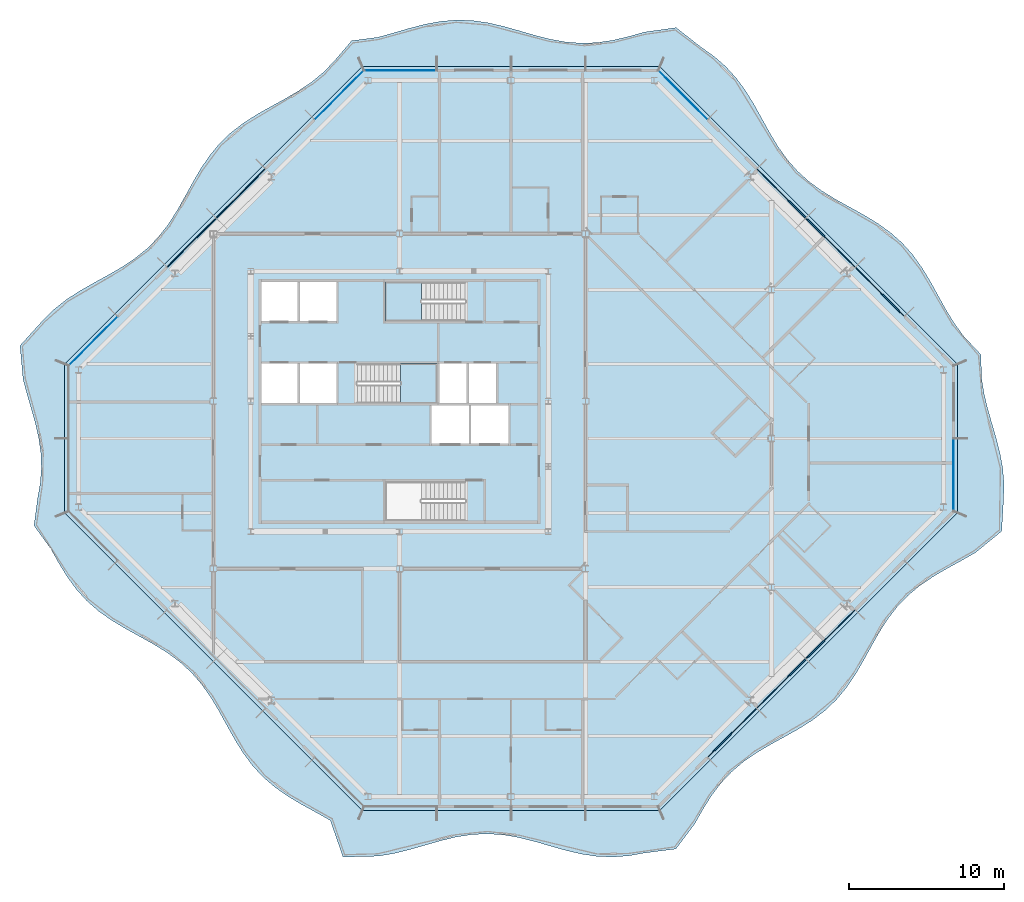
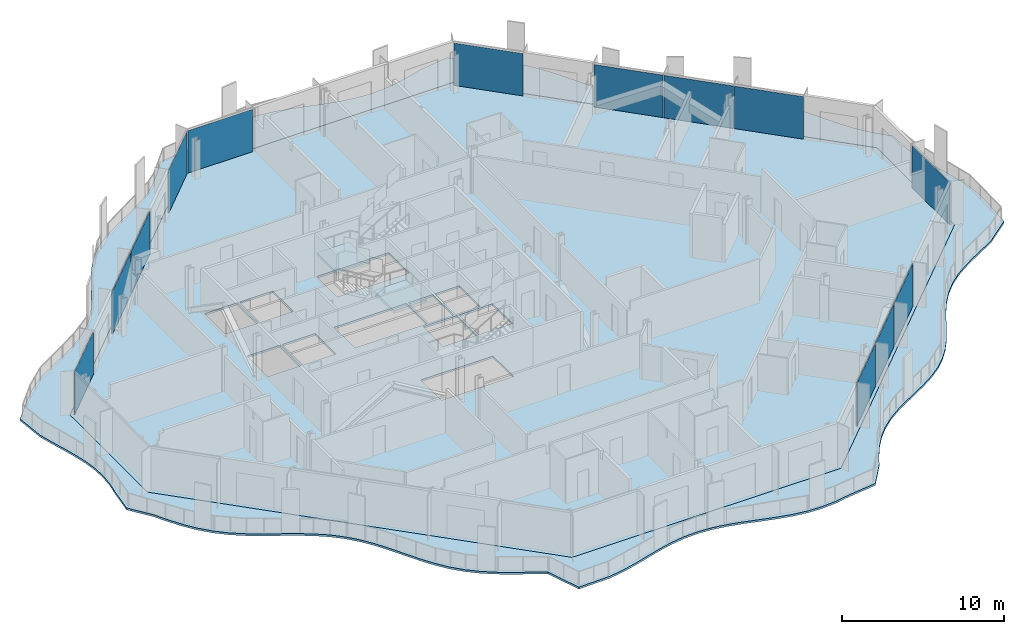
# One storey, part 6 of 17: 13 plates, 4 slabs, 7 elements without a shape of their own.
"""IFC4 building model written with IfcOpenShell, lengths in metres."""

from ifc_helpers import new_model, si_unit, direction, frame, origin, origin_2d, place, context, subcontext, project, spatial, polyline, rectangle, outline, extrude, material, layer, layer_set, type_object, element, aggregate, save


model = new_model("IFC4")

# Units and contexts
model_context = context("Model", 3, precision=1e-05, world=origin(), true_north=direction((0.0, 1.0)))
body_context = subcontext(model_context, "Body", "Model", "MODEL_VIEW")
ifc_project = project(units=[si_unit("LENGTHUNIT", "METRE"), si_unit("AREAUNIT", "SQUARE_METRE"), si_unit("VOLUMEUNIT", "CUBIC_METRE"), si_unit("PLANEANGLEUNIT", "RADIAN"), si_unit("MASSUNIT", "GRAM", prefix="KILO")], contexts=[model_context])

# Site, building, storey
site_placement = place(None, origin())
site = spatial("IfcSite", under=ifc_project, at=site_placement, CompositionType="ELEMENT")
building_placement = place(site_placement, origin())
building = spatial("IfcBuilding", under=site, at=building_placement, Name="Cairn Pilgrim Tower", CompositionType="ELEMENT")
storey_placement = place(building_placement, frame((0.0, 0.0, 257.39990234375)))
storey = spatial("IfcBuildingStorey", under=building, at=storey_placement, Name="L66", CompositionType="ELEMENT", Elevation=257.39990234375)

# Slabs
ifc_material_1 = material(Name="Concrete C35/45", Category="concrete")
ifc_layer_1 = layer(ifc_material_1, 0.14990234375)
ifc_layer_set_1 = layer_set([ifc_layer_1], Name="BALCONY SLAB 150 CONCRETE C35/45")
slab_type_1 = type_object("IfcSlabType", Name="BALCONY SLAB 150 CONCRETE C35/45", PredefinedType="FLOOR", material=ifc_layer_set_1)
slab_1_placement = place(storey_placement, frame((0.0, 0.0, -0.14990234375)))
element("IfcSlab", 1, at=slab_1_placement, inside=storey, type_object=slab_type_1, Name="Balcony slab BS-1", PredefinedType="FLOOR", context=body_context, shape_type="SweptSolid", body=[
    extrude(outline(polyline([(2.73974609375, -24.637939453125), (3.557373046875, -27.0), (5.810546875, -26.941650390625), (6.821044921875, -26.77587890625), (7.83154296875, -26.5283203125), (8.842041015625, -26.237548828125), (9.8525390625, -25.94873046875), (10.863037109375, -25.706787109375), (11.873779296875, -25.549072265625), (12.88427734375, -25.50048828125), (13.894775390625, -25.568359375), (14.9052734375, -25.741943359375), (15.915771484375, -25.994873046875), (16.92626953125, -26.287109375), (17.936767578125, -26.57373046875), (18.947265625, -26.81005859375), (19.9580078125, -26.95947265625), (20.968505859375, -26.998291015625), (21.97900390625, -26.921142578125), (22.989501953125, -26.739501953125), (25.028076171875, -26.481689453125), (26.25927734375, -24.837158203125), (26.770263671875, -23.926025390625), (27.31884765625, -23.052001953125), (27.9296875, -22.24072265625), (28.618408203125, -21.50732421875), (29.388427734375, -20.85498046875), (30.230712890625, -20.275146484375), (31.125, -19.747314453125), (32.043212890625, -19.2431640625), (32.953369140625, -18.731201171875), (33.82470703125, -18.180419921875), (34.6328125, -17.566162109375), (35.36279296875, -16.873779296875), (36.01123046875, -16.100341796875), (36.58837890625, -15.255126953125), (37.114501953125, -14.359130859375), (37.618408203125, -13.4404296875), (38.131591796875, -12.531494140625), (38.6845703125, -11.662353515625), (39.302001953125, -10.857666015625), (39.998046875, -10.131591796875), (40.775146484375, -9.486328125), (41.623291015625, -8.912109375), (42.52099609375, -8.3876953125), (43.439697265625, -7.884033203125), (44.34765625, -7.369873046875), (46.048583984375, -5.97998046875), (46.1728515625, -3.840087890625), (46.19580078125, -2.8798828125), (46.11376953125, -1.919921875), (45.938720703125, -0.9599609375), (45.69482421875, 0.0), (45.416748046875, 0.9599609375), (45.143310546875, 1.919921875), (44.912841796875, 2.8798828125), (44.7578125, 3.840087890625), (44.7001953125, 5.42138671875), (43.586669921875, 6.60888671875), (42.988525390625, 7.432861328125), (42.448974609375, 8.315673828125), (41.94140625, 9.230224609375), (41.434814453125, 10.14599609375), (40.8974609375, 11.03076171875), (40.302490234375, 11.858154296875), (39.63232421875, 12.610107421875), (38.880615234375, 13.28076171875), (38.053466796875, 13.875732421875), (37.168701171875, 14.413330078125), (36.25341796875, 14.919921875), (35.338623046875, 15.427490234375), (34.455810546875, 15.966796875), (33.63134765625, 16.564697265625), (32.883056640625, 17.238525390625), (32.216064453125, 17.993896484375), (31.624267578125, 18.82421875), (31.088623046875, 19.7109375), (30.58251953125, 20.626953125), (30.074462890625, 21.541015625), (29.53271484375, 22.421630859375), (28.931640625, 23.242919921875), (28.25439453125, 23.987548828125), (27.495361328125, 24.65087890625), (26.662109375, 25.23974609375), (25.038818359375, 26.508056640625), (22.989501953125, 26.2158203125), (21.97900390625, 25.928955078125), (20.968505859375, 25.69189453125), (19.9580078125, 25.54150390625), (18.947265625, 25.50146484375), (17.936767578125, 25.57763671875), (16.92626953125, 25.75830078125), (15.915771484375, 26.015380859375), (14.9052734375, 26.30908203125), (13.894775390625, 26.593505859375), (12.88427734375, 26.824462890625), (11.873779296875, 26.966064453125), (10.863037109375, 26.99658203125), (9.8525390625, 26.910888671875), (8.842041015625, 26.72265625), (7.83154296875, 26.4609375), (6.821044921875, 26.166259765625), (5.810546875, 25.884765625), (4.1123046875, 25.659912109375), (3.009033203125, 24.368896484375), (2.31298828125, 23.642578125), (1.5361328125, 22.997314453125), (0.688232421875, 22.4228515625), (-0.20947265625, 21.8984375), (-1.128173828125, 21.394775390625), (-2.0361328125, 20.880615234375), (-2.90283203125, 20.3251953125), (-3.70458984375, 19.70458984375), (-4.427001953125, 19.0048828125), (-5.06884765625, 18.224365234375), (-5.640380859375, 17.373779296875), (-6.163330078125, 16.474609375), (-6.666748046875, 15.5556640625), (-7.18212890625, 14.64892578125), (-7.740234375, 13.78466796875), (-8.364013671875, 12.986328125), (-9.0673828125, 12.267333984375), (-9.851318359375, 11.629150390625), (-10.704833984375, 11.060302734375), (-11.60546875, 10.538818359375), (-12.524658203125, 10.03564453125), (-13.429931640625, 9.518798828125), (-14.291748046875, 8.95849609375), (-15.086669921875, 8.3310546875), (-15.8017578125, 7.6240234375), (-17.2802734375, 5.9931640625), (-17.08642578125, 3.840087890625), (-16.831298828125, 2.8798828125), (-16.550537109375, 1.919921875), (-16.283935546875, 0.9599609375), (-16.068603515625, 0.0), (-15.93505859375, -0.9599609375), (-15.90185546875, -1.919921875), (-15.9736328125, -2.8798828125), (-16.140625, -3.840087890625), (-16.379150390625, -5.61962890625), (-15.293212890625, -7.115478515625), (-14.78515625, -8.029541015625), (-14.24365234375, -8.910400390625), (-13.642822265625, -9.731689453125), (-12.965576171875, -10.4765625), (-12.20654296875, -11.139892578125), (-11.37353515625, -11.72900390625), (-10.48486328125, -12.2626953125), (-9.568115234375, -12.76806640625), (-8.655029296875, -13.277099609375), (-7.7763671875, -13.82080078125), (-6.958251953125, -14.4248046875), (-6.217041015625, -15.105712890625), (-5.55712890625, -15.868408203125), (-4.970947265625, -16.704345703125), (-4.439208984375, -17.594970703125), (-3.934326171875, -18.51220703125), (-3.42431640625, -19.42431640625), (-2.878662109375, -20.30078125), (-2.271240234375, -21.11572265625), (-1.586669921875, -21.853271484375), (-0.820556640625, -22.509521484375), (0.018310546875, -23.0927734375), (0.91064453125, -23.62255859375), (1.828369140625, -24.127197265625), (2.73974609375, -24.637939453125)]), holes=[polyline([(24.0, -24.0), (4.800048828125, -24.0), (-14.39990234375, -4.800048828125), (-14.39990234375, 4.800048828125), (4.800048828125, 24.0), (24.0, 24.0), (43.199951171875, 4.800048828125), (43.199951171875, -4.800048828125), (24.0, -24.0)])]), origin(), (0.0, 0.0, 1.0), 0.14990234375),
])
ifc_layer_2 = layer(ifc_material_1, 0.14990234375)
ifc_layer_set_2 = layer_set([ifc_layer_2], Name="COMPOSITE FLOOR SLAB 150")
slab_type_2 = type_object("IfcSlabType", Name="COMPOSITE FLOOR SLAB 150", PredefinedType="FLOOR", material=ifc_layer_set_2)
slab_2_placement = place(storey_placement, frame((0.0, 0.0, -0.14990234375)))
element("IfcSlab", 2, at=slab_2_placement, inside=storey, type_object=slab_type_2, Name="FLOOR SLAB L66", PredefinedType="FLOOR", context=body_context, shape_type="SweptSolid", body=[
    extrude(outline(polyline([(4.800048828125, -24.0), (24.0, -24.0), (43.199951171875, -4.800048828125), (43.199951171875, 4.800048828125), (24.0, 24.0), (4.800048828125, 24.0), (-14.39990234375, 4.800048828125), (-14.39990234375, -4.800048828125), (4.800048828125, -24.0)]), holes=[polyline([(9.27490234375, -0.324951171875), (11.675048828125, -0.324951171875), (11.675048828125, 2.125), (9.27490234375, 2.125), (9.27490234375, -0.324951171875)]), polyline([(11.824951171875, -0.324951171875), (14.22509765625, -0.324951171875), (14.22509765625, 2.125), (11.824951171875, 2.125), (11.824951171875, -0.324951171875)]), polyline([(-1.72509765625, 2.27490234375), (0.625, 2.27490234375), (0.625, 4.824951171875), (-1.72509765625, 4.824951171875), (-1.72509765625, 2.27490234375)]), polyline([(0.77490234375, 2.27490234375), (3.125, 2.27490234375), (3.125, 4.824951171875), (0.77490234375, 4.824951171875), (0.77490234375, 2.27490234375)]), polyline([(-1.72509765625, 7.574951171875), (0.625, 7.574951171875), (0.625, 10.10009765625), (-1.72509765625, 10.10009765625), (-1.72509765625, 7.574951171875)]), polyline([(0.77490234375, 7.574951171875), (3.125, 7.574951171875), (3.125, 10.10009765625), (0.77490234375, 10.10009765625), (0.77490234375, 7.574951171875)]), polyline([(9.77490234375, 2.27490234375), (11.52490234375, 2.27490234375), (11.52490234375, 4.824951171875), (9.77490234375, 4.824951171875), (9.77490234375, 2.27490234375)]), polyline([(11.675048828125, 2.27490234375), (13.425048828125, 2.27490234375), (13.425048828125, 4.824951171875), (11.675048828125, 4.824951171875), (11.675048828125, 2.27490234375)]), polyline([(11.424560546875, -2.77490234375), (6.27490234375, -2.77490234375), (6.27490234375, -5.300048828125), (11.424560546875, -5.300048828125), (11.424560546875, -2.77490234375)]), polyline([(4.4755859375, 2.27490234375), (9.625, 2.27490234375), (9.625, 4.824951171875), (4.4755859375, 4.824951171875), (4.4755859375, 2.27490234375)]), polyline([(11.424560546875, 10.10009765625), (6.27490234375, 10.10009765625), (6.27490234375, 7.574951171875), (11.424560546875, 7.574951171875), (11.424560546875, 10.10009765625)])]), origin(), (0.0, 0.0, 1.0), 0.14990234375),
])

# Curtain wall, plates
ifc_material_2 = material(Name="Aluminium alloy 6063-T6 bronze anodised with Bronze tinted laminated low-E glass 8+16+8.8", Category="aluminium")
curtain_wall_type_1 = type_object("IfcCurtainWallType", Name="CHAMFER CORNER CURTAIN WALL", PredefinedType="NOTDEFINED", material=ifc_material_2)
curtain_wall_1_placement = place(storey_placement, origin())
curtain_wall_1 = element("IfcCurtainWall", 3, at=curtain_wall_1_placement, inside=storey, type_object=curtain_wall_type_1, Name="Chamfer Corner Curtain Wall SE", PredefinedType="NOTDEFINED")
ifc_material_3 = material(Name="Bronze anodised aluminium spandrel panel with mineral wool insulation", Category="aluminium")
ifc_layer_3 = layer(ifc_material_3, 0.06005859375)
ifc_layer_set_3 = layer_set([ifc_layer_3], Name="SPANDREL PANEL 4431x3200")
plate_type_1 = type_object("IfcPlateType", Name="SPANDREL PANEL 4431x3200", PredefinedType="CURTAIN_PANEL", material=ifc_layer_set_3)
plate_1_placement = place(storey_placement, frame((28.659912109375, -18.986572265625, 0.0), z_axis=(0.0, 0.0, 1.0), x_axis=(0.707106781187, 0.707106781187, 0.0)))
plate_1 = element("IfcPlate", 4, at=plate_1_placement, type_object=plate_type_1, Name="Spandrel Panel SE2-1", PredefinedType="CURTAIN_PANEL", context=body_context, shape_type="SweptSolid", body=[
    extrude(rectangle(XDim=4.430908203125, YDim=0.06005859375, at=origin_2d()), origin(), (0.0, 0.0, 1.0), 3.199951171875),
])
plate_2_placement = place(storey_placement, frame((31.83544921875, -15.81103515625, 0.0), z_axis=(0.0, 0.0, 1.0), x_axis=(0.707106781187, 0.707106781187, 0.0)))
plate_2 = element("IfcPlate", 5, at=plate_2_placement, type_object=plate_type_1, Name="Spandrel Panel SE3-1", PredefinedType="CURTAIN_PANEL", context=body_context, shape_type="SweptSolid", body=[
    extrude(rectangle(XDim=4.430908203125, YDim=0.06005859375, at=origin_2d()), origin(), (0.0, 0.0, 1.0), 3.199951171875),
])
plate_3_placement = place(storey_placement, frame((35.010986328125, -12.635498046875, 0.0), z_axis=(0.0, 0.0, 1.0), x_axis=(0.707106781187, 0.707106781187, 0.0)))
plate_3 = element("IfcPlate", 6, at=plate_3_placement, type_object=plate_type_1, Name="Spandrel Panel SE4-1", PredefinedType="CURTAIN_PANEL", context=body_context, shape_type="SweptSolid", body=[
    extrude(rectangle(XDim=4.430908203125, YDim=0.06005859375, at=origin_2d()), origin(), (0.0, 0.0, 1.0), 3.199951171875),
])
aggregate(curtain_wall_1, [plate_1, plate_2, plate_3])

curtain_wall_2_placement = place(storey_placement, origin())
curtain_wall_2 = element("IfcCurtainWall", 7, at=curtain_wall_2_placement, inside=storey, type_object=curtain_wall_type_1, Name="Chamfer Corner Curtain Wall NE", PredefinedType="NOTDEFINED")
plate_4_placement = place(storey_placement, frame((38.1865234375, 9.459716796875, 0.0), z_axis=(0.0, 0.0, 1.0), x_axis=(-0.707106781187, 0.707106781187, 0.0)))
plate_4 = element("IfcPlate", 8, at=plate_4_placement, type_object=plate_type_1, Name="Spandrel Panel NE2-1", PredefinedType="CURTAIN_PANEL", context=body_context, shape_type="SweptSolid", body=[
    extrude(rectangle(XDim=4.430908203125, YDim=0.06005859375, at=origin_2d()), origin(), (0.0, 0.0, 1.0), 3.199951171875),
])
plate_5_placement = place(storey_placement, frame((35.010986328125, 12.635498046875, 0.0), z_axis=(0.0, 0.0, 1.0), x_axis=(-0.707106781187, 0.707106781187, 0.0)))
plate_5 = element("IfcPlate", 9, at=plate_5_placement, type_object=plate_type_1, Name="Spandrel Panel NE3-1", PredefinedType="CURTAIN_PANEL", context=body_context, shape_type="SweptSolid", body=[
    extrude(rectangle(XDim=4.430908203125, YDim=0.06005859375, at=origin_2d()), origin(), (0.0, 0.0, 1.0), 3.199951171875),
])
plate_6_placement = place(storey_placement, frame((31.83544921875, 15.81103515625, 0.0), z_axis=(0.0, 0.0, 1.0), x_axis=(-0.707106781187, 0.707106781187, 0.0)))
plate_6 = element("IfcPlate", 10, at=plate_6_placement, type_object=plate_type_1, Name="Spandrel Panel NE4-1", PredefinedType="CURTAIN_PANEL", context=body_context, shape_type="SweptSolid", body=[
    extrude(rectangle(XDim=4.430908203125, YDim=0.06005859375, at=origin_2d()), origin(), (0.0, 0.0, 1.0), 3.199951171875),
])

curtain_wall_3_placement = place(storey_placement, origin())
curtain_wall_3 = element("IfcCurtainWall", 11, at=curtain_wall_3_placement, inside=storey, type_object=curtain_wall_type_1, Name="Chamfer Corner Curtain Wall NW", PredefinedType="NOTDEFINED")
plate_7_placement = place(storey_placement, frame((-3.035400390625, 15.81103515625, 0.0), z_axis=(0.0, 0.0, 1.0), x_axis=(-0.707106781187, -0.707106781187, 0.0)))
plate_7 = element("IfcPlate", 12, at=plate_7_placement, type_object=plate_type_1, Name="Spandrel Panel NW3-1", PredefinedType="CURTAIN_PANEL", context=body_context, shape_type="SweptSolid", body=[
    extrude(rectangle(XDim=4.430908203125, YDim=0.06005859375, at=origin_2d()), origin(), (0.0, 0.0, 1.0), 3.199951171875),
])
plate_8_placement = place(storey_placement, frame((-6.2109375, 12.635498046875, 0.0), z_axis=(0.0, 0.0, 1.0), x_axis=(-0.707106781187, -0.707106781187, 0.0)))
plate_8 = element("IfcPlate", 13, at=plate_8_placement, type_object=plate_type_1, Name="Spandrel Panel NW4-1", PredefinedType="CURTAIN_PANEL", context=body_context, shape_type="SweptSolid", body=[
    extrude(rectangle(XDim=4.430908203125, YDim=0.06005859375, at=origin_2d()), origin(), (0.0, 0.0, 1.0), 3.199951171875),
])

# Stair, slab
ifc_material_4 = material(Name="Concrete C32/40", Category="concrete")
stair_type = type_object("IfcStairType", Name="EXIT STAIR 1200", PredefinedType="HALF_TURN_STAIR", material=ifc_material_4)
stair_1_placement = place(storey_placement, origin())
stair_1 = element("IfcStair", 14, at=stair_1_placement, inside=storey, type_object=stair_type, Name="L66 Exit Stair B", PredefinedType="HALF_TURN_STAIR")
ifc_layer_4 = layer(ifc_material_4, 0.199951171875)
ifc_layer_set_4 = layer_set([ifc_layer_4], Name="STAIR LANDING 200")
slab_type_3 = type_object("IfcSlabType", Name="STAIR LANDING 200", PredefinedType="LANDING", material=ifc_layer_set_4)
slab_3_placement = place(storey_placement, frame((0.0, 0.0, 1.60009765625)))
slab_3 = element("IfcSlab", 15, at=slab_3_placement, type_object=slab_type_3, Name="ST-B landing 1", PredefinedType="LANDING", context=body_context, shape_type="SweptSolid", body=[
    extrude(outline(polyline([(7.27490234375, 2.27490234375), (9.625, 2.27490234375), (9.625, 4.824951171875), (7.27490234375, 4.824951171875), (7.27490234375, 2.27490234375)])), origin(), (0.0, 0.0, 1.0), 0.199951171875),
])
aggregate(stair_1, [slab_3])

stair_2_placement = place(storey_placement, origin())
stair_2 = element("IfcStair", 16, at=stair_2_placement, inside=storey, type_object=stair_type, Name="L66 Exit Stair C", PredefinedType="HALF_TURN_STAIR")
slab_4_placement = place(storey_placement, frame((0.0, 0.0, 1.60009765625)))
slab_4 = element("IfcSlab", 17, at=slab_4_placement, type_object=slab_type_3, Name="ST-C landing 1", PredefinedType="LANDING", context=body_context, shape_type="SweptSolid", body=[
    extrude(outline(polyline([(8.625, 10.10009765625), (6.27490234375, 10.10009765625), (6.27490234375, 7.574951171875), (8.625, 7.574951171875), (8.625, 10.10009765625)])), origin(), (0.0, 0.0, 1.0), 0.199951171875),
])
aggregate(stair_2, [slab_4])

# Plate
ifc_material_5 = material(Name="Bronze tinted laminated low-E glass 8+16+8.8", Category="glass")
ifc_layer_5 = layer(ifc_material_5, 0.033935546875)
ifc_layer_set_5 = layer_set([ifc_layer_5], Name="VISION GLAZING 4421x3200")
plate_type_2 = type_object("IfcPlateType", Name="VISION GLAZING 4421x3200", PredefinedType="CURTAIN_PANEL", material=ifc_layer_set_5)
plate_9_placement = place(storey_placement, frame((25.48779296875, 22.15869140625, 0.0), z_axis=(0.0, 0.0, 1.0), x_axis=(-0.707106781187, 0.707106781187, 0.0)))
plate_9 = element("IfcPlate", 18, at=plate_9_placement, type_object=plate_type_2, Name="Vision Glazing NE6-1", PredefinedType="CURTAIN_PANEL", context=body_context, shape_type="SweptSolid", body=[
    extrude(rectangle(XDim=4.4208984375, YDim=0.033935546875, at=origin_2d()), origin(), (0.0, 0.0, 1.0), 3.199951171875),
])

aggregate(curtain_wall_2, [plate_4, plate_5, plate_6, plate_9])

plate_10_placement = place(storey_placement, frame((3.312255859375, 22.15869140625, 0.0), z_axis=(0.0, 0.0, 1.0), x_axis=(-0.707106781187, -0.707106781187, 0.0)))
plate_10 = element("IfcPlate", 19, at=plate_10_placement, type_object=plate_type_2, Name="Vision Glazing NW1-1", PredefinedType="CURTAIN_PANEL", context=body_context, shape_type="SweptSolid", body=[
    extrude(rectangle(XDim=4.4208984375, YDim=0.033935546875, at=origin_2d()), origin(), (0.0, 0.0, 1.0), 3.199951171875),
])

plate_11_placement = place(storey_placement, frame((-12.55859375, 6.287841796875, 0.0), z_axis=(0.0, 0.0, 1.0), x_axis=(-0.707106781187, -0.707106781187, 0.0)))
plate_11 = element("IfcPlate", 20, at=plate_11_placement, type_object=plate_type_2, Name="Vision Glazing NW6-1", PredefinedType="CURTAIN_PANEL", context=body_context, shape_type="SweptSolid", body=[
    extrude(rectangle(XDim=4.4208984375, YDim=0.033935546875, at=origin_2d()), origin(), (0.0, 0.0, 1.0), 3.199951171875),
])

aggregate(curtain_wall_3, [plate_10, plate_7, plate_8, plate_11])

# Curtain wall, plate
curtain_wall_type_2 = type_object("IfcCurtainWallType", Name="TOWER STICK CURTAIN WALL EW", PredefinedType="NOTDEFINED", material=ifc_material_2)
curtain_wall_4_placement = place(storey_placement, origin())
curtain_wall_4 = element("IfcCurtainWall", 21, at=curtain_wall_4_placement, inside=storey, type_object=curtain_wall_type_2, Name="Tower Stick Curtain Wall Ew E", PredefinedType="NOTDEFINED")
ifc_layer_6 = layer(ifc_material_5, 0.033935546875)
ifc_layer_set_6 = layer_set([ifc_layer_6], Name="VISION GLAZING 4626x3200")
plate_type_3 = type_object("IfcPlateType", Name="VISION GLAZING 4626x3200", PredefinedType="CURTAIN_PANEL", material=ifc_layer_set_6)
plate_12_placement = place(storey_placement, frame((42.949951171875, -2.34326171875, 0.0), z_axis=(0.0, 0.0, 1.0), x_axis=(0.0, 1.0, 0.0)))
plate_12 = element("IfcPlate", 22, at=plate_12_placement, type_object=plate_type_3, Name="Vision Glazing E1-1", PredefinedType="CURTAIN_PANEL", context=body_context, shape_type="SweptSolid", body=[
    extrude(rectangle(XDim=4.62646484375, YDim=0.033935546875, at=origin_2d()), origin(), (0.0, 0.0, 1.0), 3.199951171875),
])
aggregate(curtain_wall_4, [plate_12])

curtain_wall_type_3 = type_object("IfcCurtainWallType", Name="TOWER STICK CURTAIN WALL NS", PredefinedType="NOTDEFINED", material=ifc_material_2)
curtain_wall_5_placement = place(storey_placement, origin())
curtain_wall_5 = element("IfcCurtainWall", 23, at=curtain_wall_5_placement, inside=storey, type_object=curtain_wall_type_3, Name="Tower Stick Curtain Wall Ns N", PredefinedType="NOTDEFINED")
plate_13_placement = place(storey_placement, frame((7.2568359375, 23.75, 0.0), z_axis=(0.0, 0.0, 1.0), x_axis=(-1.0, 0.0, 0.0)))
plate_13 = element("IfcPlate", 24, at=plate_13_placement, type_object=plate_type_3, Name="Vision Glazing N4-1", PredefinedType="CURTAIN_PANEL", context=body_context, shape_type="SweptSolid", body=[
    extrude(rectangle(XDim=4.62646484375, YDim=0.033935546875, at=origin_2d()), origin(), (0.0, 0.0, 1.0), 3.199951171875),
])
aggregate(curtain_wall_5, [plate_13])

save(model, "model.ifc")
